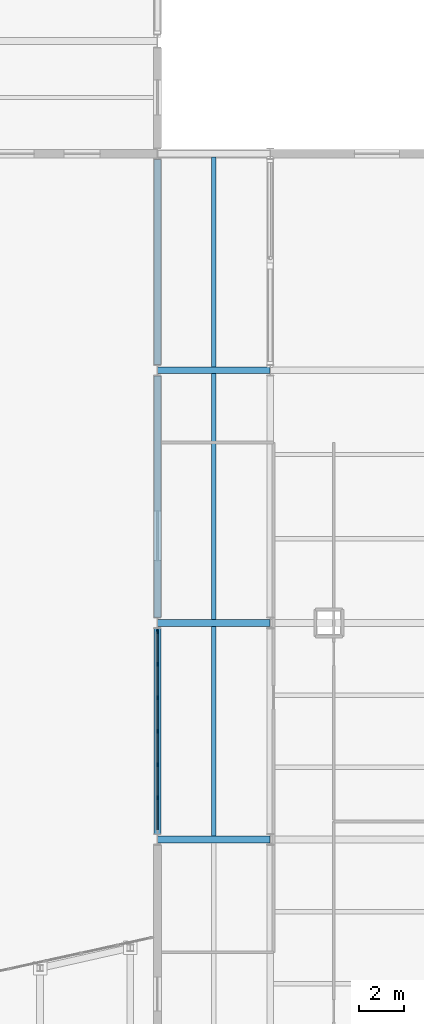
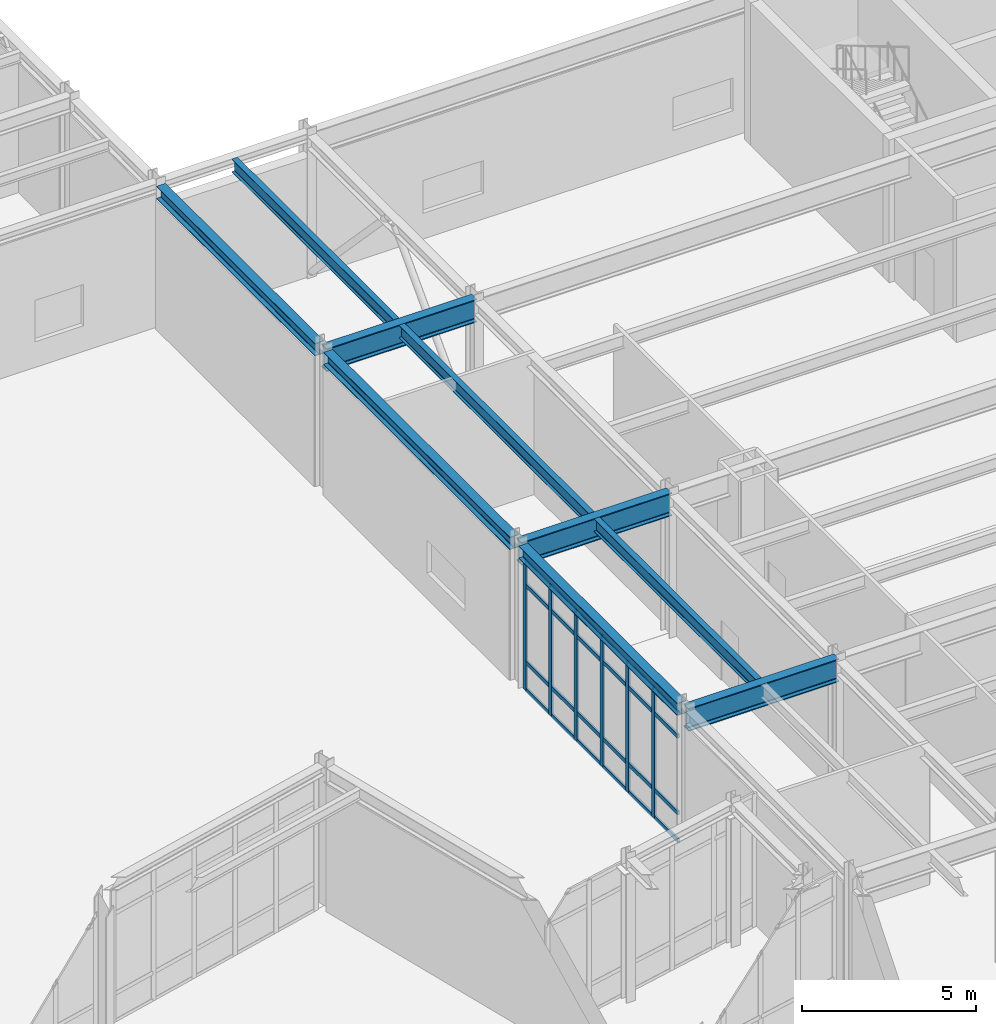
# One storey, part 59 of 109: 30 members, 9 beams, 1 element without a shape of its own.
"""IFC4 building model written with IfcOpenShell, lengths in metres."""

from ifc_helpers import new_model, si_unit, direction, frame, origin, origin_2d, place, context, subcontext, project, spatial, rectangle, i_section, extrude, material, layer, layer_set, material_profile, profile_set, type_object, element, aggregate, save


model = new_model("IFC4")

# Units and contexts
model_context = context("Model", 3, precision=1e-05, world=origin(), true_north=direction((0.0, 1.0)))
body_context = subcontext(model_context, "Body", "Model", "MODEL_VIEW")
ifc_project = project(units=[si_unit("LENGTHUNIT", "METRE"), si_unit("AREAUNIT", "SQUARE_METRE"), si_unit("VOLUMEUNIT", "CUBIC_METRE"), si_unit("PLANEANGLEUNIT", "RADIAN"), si_unit("MASSUNIT", "GRAM", prefix="KILO")], contexts=[model_context])

# Site, building, storey
site_placement = place(None, origin())
site = spatial("IfcSite", under=ifc_project, at=site_placement, CompositionType="ELEMENT")
building_placement = place(site_placement, origin())
building = spatial("IfcBuilding", under=site, at=building_placement, Name="Nordkorset Police Headquarters", CompositionType="ELEMENT")
storey_placement = place(building_placement, origin())
storey = spatial("IfcBuildingStorey", under=building, at=storey_placement, Name="L00", CompositionType="ELEMENT", Elevation=0.0)

# Beams
ifc_material_1 = material(Name="Steel S355J2", Category="steel")
ifc_material_profile_1 = material_profile(ifc_material_1, i_section(OverallWidth=0.18994140625, OverallDepth=0.449951171875, WebThickness=0.009521484375, FlangeThickness=0.0146484375, FilletRadius=0.02099609375, at=origin_2d()), Name="IPE 450")
ifc_profile_set_1 = profile_set([ifc_material_profile_1], Name="Steel S355J2")
beam_type_1 = type_object("IfcBeamType", Name="Beam_IPE_450", PredefinedType="BEAM", material=ifc_profile_set_1)
beam_1_placement = place(storey_placement, frame((88.89990234375, 67.35009765625, 4.77490234375), z_axis=(0.0, 1.0, 0.0), x_axis=(-1.0, 0.0, 0.0)))
element("IfcBeam", 1, at=beam_1_placement, inside=storey, type_object=beam_type_1, Name="Composite Floor Beam V5 L00 0-2-1", PredefinedType="BEAM", context=body_context, shape_type="SweptSolid", body=[
    extrude(i_section(OverallWidth=0.18994140625, OverallDepth=0.449951171875, WebThickness=0.009521484375, FlangeThickness=0.0146484375, FilletRadius=0.02099609375, at=origin_2d()), origin(), (0.0, 0.0, 1.0), 9.2998046875),
])
beam_2_placement = place(storey_placement, frame((88.89990234375, 76.949951171875, 4.77490234375), z_axis=(0.0, 1.0, 0.0), x_axis=(-1.0, 0.0, 0.0)))
element("IfcBeam", 2, at=beam_2_placement, inside=storey, type_object=beam_type_1, Name="Composite Floor Beam V5 L00 0-3-1", PredefinedType="BEAM", context=body_context, shape_type="SweptSolid", body=[
    extrude(i_section(OverallWidth=0.18994140625, OverallDepth=0.449951171875, WebThickness=0.009521484375, FlangeThickness=0.0146484375, FilletRadius=0.02099609375, at=origin_2d()), origin(), (0.0, 0.0, 1.0), 10.900146484375),
])
beam_3_placement = place(storey_placement, frame((88.89990234375, 88.14990234375, 4.77490234375), z_axis=(0.0, 1.0, 0.0), x_axis=(-1.0, 0.0, 0.0)))
element("IfcBeam", 3, at=beam_3_placement, inside=storey, type_object=beam_type_1, Name="Composite Floor Beam V5 L00 0-4-1", PredefinedType="BEAM", context=body_context, shape_type="SweptSolid", body=[
    extrude(i_section(OverallWidth=0.18994140625, OverallDepth=0.449951171875, WebThickness=0.009521484375, FlangeThickness=0.0146484375, FilletRadius=0.02099609375, at=origin_2d()), origin(), (0.0, 0.0, 1.0), 9.300048828125),
])

# Curtain wall, members
ifc_material_2 = material(Name="Aluminium alloy AW-6060", Category="aluminium")
ifc_layer = layer(ifc_material_2, 0.179931640625, Name="Aluminium alloy AW-6060")
ifc_layer_set = layer_set([ifc_layer], Name="Aluminium alloy AW-6060")
curtain_wall_type = type_object("IfcCurtainWallType", Name="CW_Unit_888x454", PredefinedType="USERDEFINED", material=ifc_layer_set)
curtain_wall_placement = place(storey_placement, origin())
curtain_wall = element("IfcCurtainWall", 4, at=curtain_wall_placement, inside=storey, type_object=curtain_wall_type, Name="Unitised Curtain Wall L00 V5W-2", ObjectType="UNITISED CURTAIN WALL", PredefinedType="USERDEFINED")
ifc_material_3 = material(Name="Aluminium alloy AW-6060", Category="aluminium")
ifc_material_profile_2 = material_profile(ifc_material_3, rectangle(XDim=0.06494140625, YDim=0.179931640625, at=origin_2d()), Name="ALU MULL 65x180")
ifc_profile_set_2 = profile_set([ifc_material_profile_2], Name="Aluminium alloy AW-6060")
member_type_1 = type_object("IfcMemberType", Name="CW_Mullion_65x180", PredefinedType="MULLION", material=ifc_profile_set_2)
member_1_placement = place(storey_placement, frame((86.39990234375, 69.0400390625, 0.0), z_axis=(0.0, 0.0, 1.0), x_axis=(-1.0, 0.0, 0.0)))
member_1 = element("IfcMember", 5, at=member_1_placement, type_object=member_type_1, Name="CW-82 mullion 2", PredefinedType="MULLION", context=body_context, shape_type="SweptSolid", body=[
    extrude(rectangle(XDim=0.06494140625, YDim=0.179931640625, at=origin_2d()), origin(), (0.0, 0.0, 1.0), 4.5400390625),
])
member_2_placement = place(storey_placement, frame((86.39990234375, 70.52001953125, 0.0), z_axis=(0.0, 0.0, 1.0), x_axis=(-1.0, 0.0, 0.0)))
member_2 = element("IfcMember", 6, at=member_2_placement, type_object=member_type_1, Name="CW-82 mullion 3", PredefinedType="MULLION", context=body_context, shape_type="SweptSolid", body=[
    extrude(rectangle(XDim=0.06494140625, YDim=0.179931640625, at=origin_2d()), origin(), (0.0, 0.0, 1.0), 4.5400390625),
])
member_3_placement = place(storey_placement, frame((86.39990234375, 72.0, 0.0), z_axis=(0.0, 0.0, 1.0), x_axis=(-1.0, 0.0, 0.0)))
member_3 = element("IfcMember", 7, at=member_3_placement, type_object=member_type_1, Name="CW-82 mullion 4", PredefinedType="MULLION", context=body_context, shape_type="SweptSolid", body=[
    extrude(rectangle(XDim=0.06494140625, YDim=0.179931640625, at=origin_2d()), origin(), (0.0, 0.0, 1.0), 4.5400390625),
])
member_4_placement = place(storey_placement, frame((86.39990234375, 73.47998046875, 0.0), z_axis=(0.0, 0.0, 1.0), x_axis=(-1.0, 0.0, 0.0)))
member_4 = element("IfcMember", 8, at=member_4_placement, type_object=member_type_1, Name="CW-82 mullion 5", PredefinedType="MULLION", context=body_context, shape_type="SweptSolid", body=[
    extrude(rectangle(XDim=0.06494140625, YDim=0.179931640625, at=origin_2d()), origin(), (0.0, 0.0, 1.0), 4.5400390625),
])
member_5_placement = place(storey_placement, frame((86.39990234375, 74.9599609375, 0.0), z_axis=(0.0, 0.0, 1.0), x_axis=(-1.0, 0.0, 0.0)))
member_5 = element("IfcMember", 9, at=member_5_placement, type_object=member_type_1, Name="CW-82 mullion 6", PredefinedType="MULLION", context=body_context, shape_type="SweptSolid", body=[
    extrude(rectangle(XDim=0.06494140625, YDim=0.179931640625, at=origin_2d()), origin(), (0.0, 0.0, 1.0), 4.5400390625),
])
member_6_placement = place(storey_placement, frame((86.39990234375, 76.407470703125, 0.0), z_axis=(0.0, 0.0, 1.0), x_axis=(-1.0, 0.0, 0.0)))
member_6 = element("IfcMember", 10, at=member_6_placement, type_object=member_type_1, Name="CW-82 mullion 7", PredefinedType="MULLION", context=body_context, shape_type="SweptSolid", body=[
    extrude(rectangle(XDim=0.06494140625, YDim=0.179931640625, at=origin_2d()), origin(), (0.0, 0.0, 1.0), 4.5400390625),
])
ifc_material_4 = material(Name="Aluminium alloy AW-6060", Category="aluminium")
ifc_material_profile_3 = material_profile(ifc_material_4, rectangle(XDim=0.06494140625, YDim=0.139892578125, at=origin_2d()), Name="ALU TRAN 65x140")
ifc_profile_set_3 = profile_set([ifc_material_profile_3], Name="Aluminium alloy AW-6060")
member_type_2 = type_object("IfcMemberType", Name="CW_Transom_65x140", PredefinedType="USERDEFINED", material=ifc_profile_set_3)
member_7_placement = place(storey_placement, frame((86.39990234375, 67.625, 0.032470703125), z_axis=(0.0, 1.0, 0.0), x_axis=(-1.0, 0.0, 0.0)))
member_7 = element("IfcMember", 11, at=member_7_placement, type_object=member_type_2, Name="CW-82 transom 1.1", ObjectType="TRANSOM", PredefinedType="USERDEFINED", context=body_context, shape_type="SweptSolid", body=[
    extrude(rectangle(XDim=0.06494140625, YDim=0.139892578125, at=origin_2d()), origin(), (0.0, 0.0, 1.0), 1.382568359375),
])
member_8_placement = place(storey_placement, frame((86.39990234375, 67.625, 1.0), z_axis=(0.0, 1.0, 0.0), x_axis=(-1.0, 0.0, 0.0)))
member_8 = element("IfcMember", 12, at=member_8_placement, type_object=member_type_2, Name="CW-82 transom 1.2", ObjectType="TRANSOM", PredefinedType="USERDEFINED", context=body_context, shape_type="SweptSolid", body=[
    extrude(rectangle(XDim=0.06494140625, YDim=0.139892578125, at=origin_2d()), origin(), (0.0, 0.0, 1.0), 1.382568359375),
])
member_9_placement = place(storey_placement, frame((86.39990234375, 67.625, 3.68994140625), z_axis=(0.0, 1.0, 0.0), x_axis=(-1.0, 0.0, 0.0)))
member_9 = element("IfcMember", 13, at=member_9_placement, type_object=member_type_2, Name="CW-82 transom 1.3", ObjectType="TRANSOM", PredefinedType="USERDEFINED", context=body_context, shape_type="SweptSolid", body=[
    extrude(rectangle(XDim=0.06494140625, YDim=0.139892578125, at=origin_2d()), origin(), (0.0, 0.0, 1.0), 1.382568359375),
])
member_10_placement = place(storey_placement, frame((86.39990234375, 67.625, 4.507568359375), z_axis=(0.0, 1.0, 0.0), x_axis=(-1.0, 0.0, 0.0)))
member_10 = element("IfcMember", 14, at=member_10_placement, type_object=member_type_2, Name="CW-82 transom 1.4", ObjectType="TRANSOM", PredefinedType="USERDEFINED", context=body_context, shape_type="SweptSolid", body=[
    extrude(rectangle(XDim=0.06494140625, YDim=0.139892578125, at=origin_2d()), origin(), (0.0, 0.0, 1.0), 1.382568359375),
])
member_11_placement = place(storey_placement, frame((86.39990234375, 69.072509765625, 0.032470703125), z_axis=(0.0, 1.0, 0.0), x_axis=(-1.0, 0.0, 0.0)))
member_11 = element("IfcMember", 15, at=member_11_placement, type_object=member_type_2, Name="CW-82 transom 2.1", ObjectType="TRANSOM", PredefinedType="USERDEFINED", context=body_context, shape_type="SweptSolid", body=[
    extrude(rectangle(XDim=0.06494140625, YDim=0.139892578125, at=origin_2d()), origin(), (0.0, 0.0, 1.0), 1.4150390625),
])
member_12_placement = place(storey_placement, frame((86.39990234375, 69.072509765625, 1.0), z_axis=(0.0, 1.0, 0.0), x_axis=(-1.0, 0.0, 0.0)))
member_12 = element("IfcMember", 16, at=member_12_placement, type_object=member_type_2, Name="CW-82 transom 2.2", ObjectType="TRANSOM", PredefinedType="USERDEFINED", context=body_context, shape_type="SweptSolid", body=[
    extrude(rectangle(XDim=0.06494140625, YDim=0.139892578125, at=origin_2d()), origin(), (0.0, 0.0, 1.0), 1.4150390625),
])
member_13_placement = place(storey_placement, frame((86.39990234375, 69.072509765625, 3.68994140625), z_axis=(0.0, 1.0, 0.0), x_axis=(-1.0, 0.0, 0.0)))
member_13 = element("IfcMember", 17, at=member_13_placement, type_object=member_type_2, Name="CW-82 transom 2.3", ObjectType="TRANSOM", PredefinedType="USERDEFINED", context=body_context, shape_type="SweptSolid", body=[
    extrude(rectangle(XDim=0.06494140625, YDim=0.139892578125, at=origin_2d()), origin(), (0.0, 0.0, 1.0), 1.4150390625),
])
member_14_placement = place(storey_placement, frame((86.39990234375, 69.072509765625, 4.507568359375), z_axis=(0.0, 1.0, 0.0), x_axis=(-1.0, 0.0, 0.0)))
member_14 = element("IfcMember", 18, at=member_14_placement, type_object=member_type_2, Name="CW-82 transom 2.4", ObjectType="TRANSOM", PredefinedType="USERDEFINED", context=body_context, shape_type="SweptSolid", body=[
    extrude(rectangle(XDim=0.06494140625, YDim=0.139892578125, at=origin_2d()), origin(), (0.0, 0.0, 1.0), 1.4150390625),
])
member_15_placement = place(storey_placement, frame((86.39990234375, 70.552490234375, 0.032470703125), z_axis=(0.0, 1.0, 0.0), x_axis=(-1.0, 0.0, 0.0)))
member_15 = element("IfcMember", 19, at=member_15_placement, type_object=member_type_2, Name="CW-82 transom 3.1", ObjectType="TRANSOM", PredefinedType="USERDEFINED", context=body_context, shape_type="SweptSolid", body=[
    extrude(rectangle(XDim=0.06494140625, YDim=0.139892578125, at=origin_2d()), origin(), (0.0, 0.0, 1.0), 1.4150390625),
])
member_16_placement = place(storey_placement, frame((86.39990234375, 70.552490234375, 1.0), z_axis=(0.0, 1.0, 0.0), x_axis=(-1.0, 0.0, 0.0)))
member_16 = element("IfcMember", 20, at=member_16_placement, type_object=member_type_2, Name="CW-82 transom 3.2", ObjectType="TRANSOM", PredefinedType="USERDEFINED", context=body_context, shape_type="SweptSolid", body=[
    extrude(rectangle(XDim=0.06494140625, YDim=0.139892578125, at=origin_2d()), origin(), (0.0, 0.0, 1.0), 1.4150390625),
])
member_17_placement = place(storey_placement, frame((86.39990234375, 70.552490234375, 3.68994140625), z_axis=(0.0, 1.0, 0.0), x_axis=(-1.0, 0.0, 0.0)))
member_17 = element("IfcMember", 21, at=member_17_placement, type_object=member_type_2, Name="CW-82 transom 3.3", ObjectType="TRANSOM", PredefinedType="USERDEFINED", context=body_context, shape_type="SweptSolid", body=[
    extrude(rectangle(XDim=0.06494140625, YDim=0.139892578125, at=origin_2d()), origin(), (0.0, 0.0, 1.0), 1.4150390625),
])
member_18_placement = place(storey_placement, frame((86.39990234375, 70.552490234375, 4.507568359375), z_axis=(0.0, 1.0, 0.0), x_axis=(-1.0, 0.0, 0.0)))
member_18 = element("IfcMember", 22, at=member_18_placement, type_object=member_type_2, Name="CW-82 transom 3.4", ObjectType="TRANSOM", PredefinedType="USERDEFINED", context=body_context, shape_type="SweptSolid", body=[
    extrude(rectangle(XDim=0.06494140625, YDim=0.139892578125, at=origin_2d()), origin(), (0.0, 0.0, 1.0), 1.4150390625),
])
member_19_placement = place(storey_placement, frame((86.39990234375, 72.032470703125, 0.032470703125), z_axis=(0.0, 1.0, 0.0), x_axis=(-1.0, 0.0, 0.0)))
member_19 = element("IfcMember", 23, at=member_19_placement, type_object=member_type_2, Name="CW-82 transom 4.1", ObjectType="TRANSOM", PredefinedType="USERDEFINED", context=body_context, shape_type="SweptSolid", body=[
    extrude(rectangle(XDim=0.06494140625, YDim=0.139892578125, at=origin_2d()), origin(), (0.0, 0.0, 1.0), 1.4150390625),
])
member_20_placement = place(storey_placement, frame((86.39990234375, 72.032470703125, 1.0), z_axis=(0.0, 1.0, 0.0), x_axis=(-1.0, 0.0, 0.0)))
member_20 = element("IfcMember", 24, at=member_20_placement, type_object=member_type_2, Name="CW-82 transom 4.2", ObjectType="TRANSOM", PredefinedType="USERDEFINED", context=body_context, shape_type="SweptSolid", body=[
    extrude(rectangle(XDim=0.06494140625, YDim=0.139892578125, at=origin_2d()), origin(), (0.0, 0.0, 1.0), 1.4150390625),
])
member_21_placement = place(storey_placement, frame((86.39990234375, 72.032470703125, 3.68994140625), z_axis=(0.0, 1.0, 0.0), x_axis=(-1.0, 0.0, 0.0)))
member_21 = element("IfcMember", 25, at=member_21_placement, type_object=member_type_2, Name="CW-82 transom 4.3", ObjectType="TRANSOM", PredefinedType="USERDEFINED", context=body_context, shape_type="SweptSolid", body=[
    extrude(rectangle(XDim=0.06494140625, YDim=0.139892578125, at=origin_2d()), origin(), (0.0, 0.0, 1.0), 1.4150390625),
])
member_22_placement = place(storey_placement, frame((86.39990234375, 72.032470703125, 4.507568359375), z_axis=(0.0, 1.0, 0.0), x_axis=(-1.0, 0.0, 0.0)))
member_22 = element("IfcMember", 26, at=member_22_placement, type_object=member_type_2, Name="CW-82 transom 4.4", ObjectType="TRANSOM", PredefinedType="USERDEFINED", context=body_context, shape_type="SweptSolid", body=[
    extrude(rectangle(XDim=0.06494140625, YDim=0.139892578125, at=origin_2d()), origin(), (0.0, 0.0, 1.0), 1.4150390625),
])
member_23_placement = place(storey_placement, frame((86.39990234375, 73.512451171875, 0.032470703125), z_axis=(0.0, 1.0, 0.0), x_axis=(-1.0, 0.0, 0.0)))
member_23 = element("IfcMember", 27, at=member_23_placement, type_object=member_type_2, Name="CW-82 transom 5.1", ObjectType="TRANSOM", PredefinedType="USERDEFINED", context=body_context, shape_type="SweptSolid", body=[
    extrude(rectangle(XDim=0.06494140625, YDim=0.139892578125, at=origin_2d()), origin(), (0.0, 0.0, 1.0), 1.4150390625),
])
member_24_placement = place(storey_placement, frame((86.39990234375, 73.512451171875, 1.0), z_axis=(0.0, 1.0, 0.0), x_axis=(-1.0, 0.0, 0.0)))
member_24 = element("IfcMember", 28, at=member_24_placement, type_object=member_type_2, Name="CW-82 transom 5.2", ObjectType="TRANSOM", PredefinedType="USERDEFINED", context=body_context, shape_type="SweptSolid", body=[
    extrude(rectangle(XDim=0.06494140625, YDim=0.139892578125, at=origin_2d()), origin(), (0.0, 0.0, 1.0), 1.4150390625),
])
member_25_placement = place(storey_placement, frame((86.39990234375, 73.512451171875, 3.68994140625), z_axis=(0.0, 1.0, 0.0), x_axis=(-1.0, 0.0, 0.0)))
member_25 = element("IfcMember", 29, at=member_25_placement, type_object=member_type_2, Name="CW-82 transom 5.3", ObjectType="TRANSOM", PredefinedType="USERDEFINED", context=body_context, shape_type="SweptSolid", body=[
    extrude(rectangle(XDim=0.06494140625, YDim=0.139892578125, at=origin_2d()), origin(), (0.0, 0.0, 1.0), 1.4150390625),
])
member_26_placement = place(storey_placement, frame((86.39990234375, 73.512451171875, 4.507568359375), z_axis=(0.0, 1.0, 0.0), x_axis=(-1.0, 0.0, 0.0)))
member_26 = element("IfcMember", 30, at=member_26_placement, type_object=member_type_2, Name="CW-82 transom 5.4", ObjectType="TRANSOM", PredefinedType="USERDEFINED", context=body_context, shape_type="SweptSolid", body=[
    extrude(rectangle(XDim=0.06494140625, YDim=0.139892578125, at=origin_2d()), origin(), (0.0, 0.0, 1.0), 1.4150390625),
])
member_27_placement = place(storey_placement, frame((86.39990234375, 74.992431640625, 0.032470703125), z_axis=(0.0, 1.0, 0.0), x_axis=(-1.0, 0.0, 0.0)))
member_27 = element("IfcMember", 31, at=member_27_placement, type_object=member_type_2, Name="CW-82 transom 6.1", ObjectType="TRANSOM", PredefinedType="USERDEFINED", context=body_context, shape_type="SweptSolid", body=[
    extrude(rectangle(XDim=0.06494140625, YDim=0.139892578125, at=origin_2d()), origin(), (0.0, 0.0, 1.0), 1.382568359375),
])
member_28_placement = place(storey_placement, frame((86.39990234375, 74.992431640625, 1.0), z_axis=(0.0, 1.0, 0.0), x_axis=(-1.0, 0.0, 0.0)))
member_28 = element("IfcMember", 32, at=member_28_placement, type_object=member_type_2, Name="CW-82 transom 6.2", ObjectType="TRANSOM", PredefinedType="USERDEFINED", context=body_context, shape_type="SweptSolid", body=[
    extrude(rectangle(XDim=0.06494140625, YDim=0.139892578125, at=origin_2d()), origin(), (0.0, 0.0, 1.0), 1.382568359375),
])
member_29_placement = place(storey_placement, frame((86.39990234375, 74.992431640625, 3.68994140625), z_axis=(0.0, 1.0, 0.0), x_axis=(-1.0, 0.0, 0.0)))
member_29 = element("IfcMember", 33, at=member_29_placement, type_object=member_type_2, Name="CW-82 transom 6.3", ObjectType="TRANSOM", PredefinedType="USERDEFINED", context=body_context, shape_type="SweptSolid", body=[
    extrude(rectangle(XDim=0.06494140625, YDim=0.139892578125, at=origin_2d()), origin(), (0.0, 0.0, 1.0), 1.382568359375),
])
member_30_placement = place(storey_placement, frame((86.39990234375, 74.992431640625, 4.507568359375), z_axis=(0.0, 1.0, 0.0), x_axis=(-1.0, 0.0, 0.0)))
member_30 = element("IfcMember", 34, at=member_30_placement, type_object=member_type_2, Name="CW-82 transom 6.4", ObjectType="TRANSOM", PredefinedType="USERDEFINED", context=body_context, shape_type="SweptSolid", body=[
    extrude(rectangle(XDim=0.06494140625, YDim=0.139892578125, at=origin_2d()), origin(), (0.0, 0.0, 1.0), 1.382568359375),
])
aggregate(curtain_wall, [member_1, member_2, member_3, member_4, member_5, member_6, member_7, member_8, member_9, member_10, member_11, member_12, member_13, member_14, member_15, member_16, member_17, member_18, member_19, member_20, member_21, member_22, member_23, member_24, member_25, member_26, member_27, member_28, member_29, member_30])

# Beams
ifc_material_5 = material(Name="Steel S355J2", Category="steel")
ifc_material_profile_4 = material_profile(ifc_material_5, i_section(OverallWidth=0.300048828125, OverallDepth=0.43994140625, WebThickness=0.011474609375, FlangeThickness=0.02099609375, FilletRadius=0.027099609375, at=origin_2d()), Name="HEA 450")
ifc_profile_set_4 = profile_set([ifc_material_profile_4], Name="Steel S355J2")
beam_type_2 = type_object("IfcBeamType", Name="Girder_HEA_450", PredefinedType="USERDEFINED", material=ifc_profile_set_4)
beam_4_placement = place(storey_placement, frame((86.39990234375, 67.449951171875, 4.780029296875), z_axis=(0.0, 1.0, 0.0), x_axis=(-1.0, 0.0, 0.0)))
element("IfcBeam", 35, at=beam_4_placement, inside=storey, type_object=beam_type_2, Name="Girder V5 L00 GY-0-2", ObjectType="GIRDER", PredefinedType="USERDEFINED", context=body_context, shape_type="SweptSolid", body=[
    extrude(i_section(OverallWidth=0.300048828125, OverallDepth=0.43994140625, WebThickness=0.011474609375, FlangeThickness=0.02099609375, FilletRadius=0.027099609375, at=origin_2d()), origin(), (0.0, 0.0, 1.0), 9.10009765625),
])
beam_5_placement = place(storey_placement, frame((86.39990234375, 77.050048828125, 4.780029296875), z_axis=(0.0, 1.0, 0.0), x_axis=(-1.0, 0.0, 0.0)))
element("IfcBeam", 36, at=beam_5_placement, inside=storey, type_object=beam_type_2, Name="Girder V5 L00 GY-0-3", ObjectType="GIRDER", PredefinedType="USERDEFINED", context=body_context, shape_type="SweptSolid", body=[
    extrude(i_section(OverallWidth=0.300048828125, OverallDepth=0.43994140625, WebThickness=0.011474609375, FlangeThickness=0.02099609375, FilletRadius=0.027099609375, at=origin_2d()), origin(), (0.0, 0.0, 1.0), 10.699951171875),
])
beam_6_placement = place(storey_placement, frame((86.39990234375, 88.25, 4.780029296875), z_axis=(0.0, 1.0, 0.0), x_axis=(-1.0, 0.0, 0.0)))
element("IfcBeam", 37, at=beam_6_placement, inside=storey, type_object=beam_type_2, Name="Girder V5 L00 GY-0-4", ObjectType="GIRDER", PredefinedType="USERDEFINED", context=body_context, shape_type="SweptSolid", body=[
    extrude(i_section(OverallWidth=0.300048828125, OverallDepth=0.43994140625, WebThickness=0.011474609375, FlangeThickness=0.02099609375, FilletRadius=0.027099609375, at=origin_2d()), origin(), (0.0, 0.0, 1.0), 9.10009765625),
])
ifc_material_6 = material(Name="Steel S355J2", Category="steel")
ifc_material_profile_5 = material_profile(ifc_material_6, i_section(OverallWidth=0.300048828125, OverallDepth=0.800048828125, WebThickness=0.017578125, FlangeThickness=0.032958984375, FilletRadius=0.030029296875, at=origin_2d()), Name="HEB 800")
ifc_profile_set_5 = profile_set([ifc_material_profile_5], Name="Steel S355J2")
beam_type_3 = type_object("IfcBeamType", Name="Girder_HEB_800", PredefinedType="USERDEFINED", material=ifc_profile_set_5)
for number, where, z_axis, x_axis, name in (
    (38, (86.4072265625, 67.199951171875, 4.60009765625), (1.0, 0.0, 0.0), (0.0, 1.0, 0.0), "Girder V5 L00 GX-2-0"),
    (39, (86.4072265625, 76.800048828125, 4.60009765625), (1.0, 0.0, 0.0), (0.0, 1.0, 0.0), "Girder V5 L00 GX-3-0"),
    (40, (86.4072265625, 88.0, 4.60009765625), (1.0, 0.0, 0.0), (0.0, 1.0, 0.0), "Girder V5 L00 GX-4-0"),
):
    element("IfcBeam", number, at=place(storey_placement, frame(where, z_axis=z_axis, x_axis=x_axis)), inside=storey, type_object=beam_type_3, Name=name, ObjectType="GIRDER", PredefinedType="USERDEFINED", context=body_context, shape_type="SweptSolid", body=[
        extrude(i_section(OverallWidth=0.300048828125, OverallDepth=0.800048828125, WebThickness=0.017578125, FlangeThickness=0.032958984375, FilletRadius=0.030029296875, at=origin_2d()), origin(), (0.0, 0.0, 1.0), 4.9853515625),
    ])

save(model, "model.ifc")
